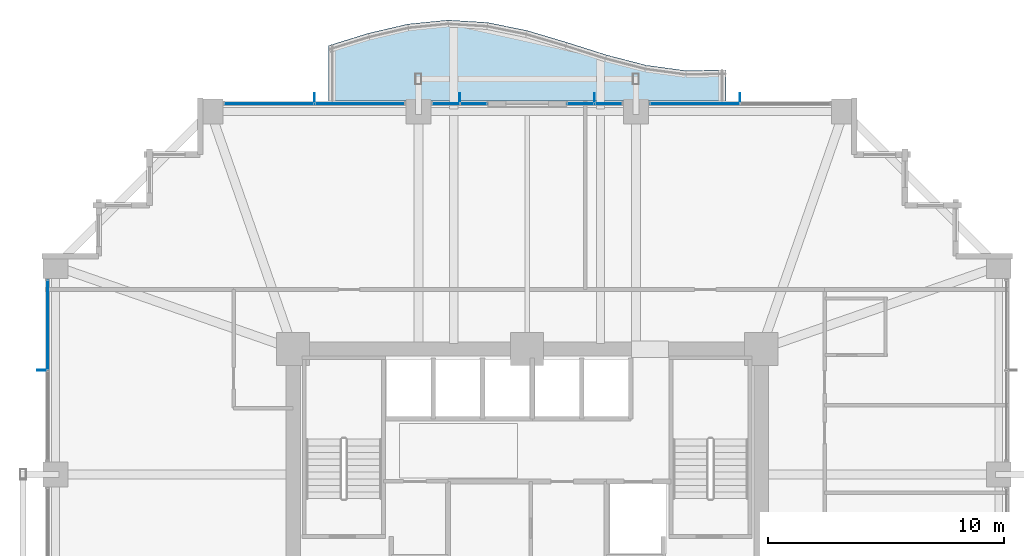
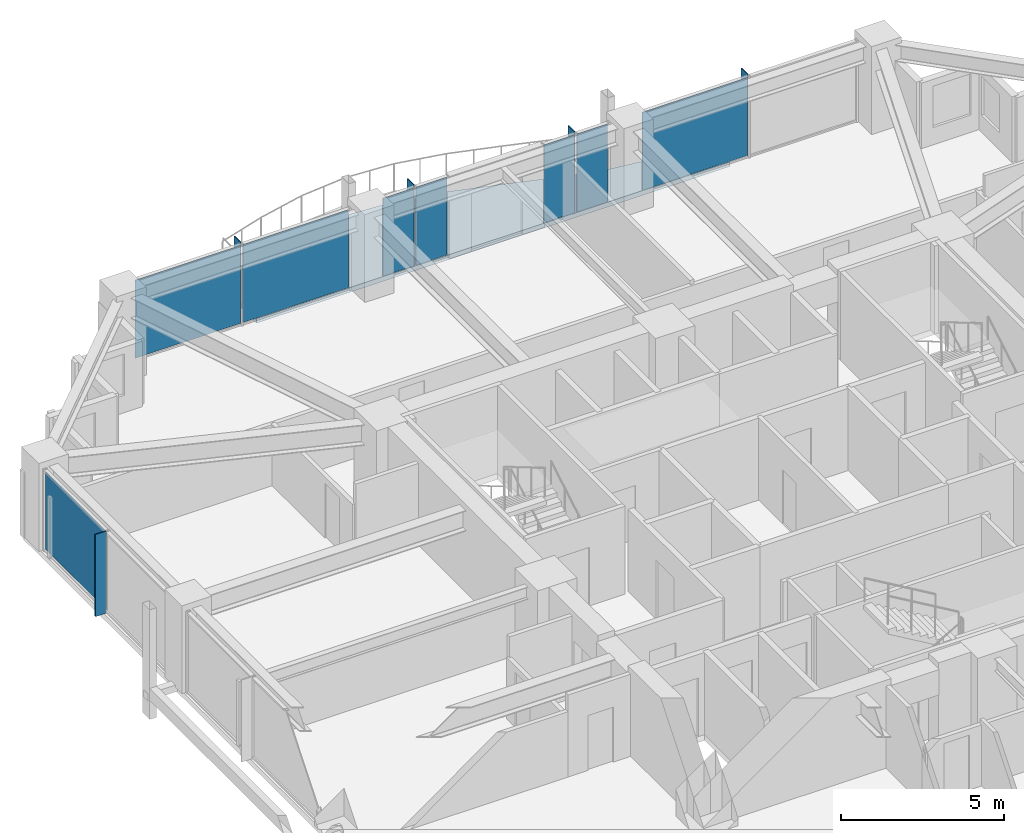
# One storey, part 30 of 38: 13 plates, 1 slab, 5 elements without a shape of their own.
"""IFC4 building model written with IfcOpenShell, lengths in metres."""

from ifc_helpers import new_model, si_unit, direction, frame, origin, origin_2d, place, context, subcontext, project, spatial, polyline, rectangle, outline, extrude, material, layer, layer_set, type_object, element, aggregate, save


model = new_model("IFC4")

# Units and contexts
model_context = context("Model", 3, precision=1e-05, world=origin(), true_north=direction((0.0, 1.0)))
body_context = subcontext(model_context, "Body", "Model", "MODEL_VIEW")
ifc_project = project(units=[si_unit("LENGTHUNIT", "METRE"), si_unit("AREAUNIT", "SQUARE_METRE"), si_unit("VOLUMEUNIT", "CUBIC_METRE"), si_unit("PLANEANGLEUNIT", "RADIAN"), si_unit("MASSUNIT", "GRAM", prefix="KILO")], contexts=[model_context])

# Site, building, storey
site_placement = place(None, origin())
site = spatial("IfcSite", under=ifc_project, at=site_placement, CompositionType="ELEMENT")
building_placement = place(site_placement, origin())
building = spatial("IfcBuilding", under=site, at=building_placement, Name="Kolvaren Belvedere", CompositionType="ELEMENT")
storey_placement = place(building_placement, frame((0.0, 0.0, 72.199951171875)))
storey = spatial("IfcBuildingStorey", under=building, at=storey_placement, Name="L20", CompositionType="ELEMENT", Elevation=72.199951171875)

# Curtain wall, plates
ifc_material_1 = material(Name="Anodised pale-metal aluminium AA 6063-T6", Category="aluminium")
curtain_wall_type = type_object("IfcCurtainWallType", Name="CW-Z2-MID", PredefinedType="NOTDEFINED", material=ifc_material_1)
curtain_wall_1_placement = place(storey_placement, origin())
curtain_wall_1 = element("IfcCurtainWall", 1, at=curtain_wall_1_placement, inside=storey, type_object=curtain_wall_type, Name="L20 Unitised Curtain Wall FCW-L20-N1-B1", PredefinedType="NOTDEFINED")
ifc_material_2 = material(Name="Low-iron triple insulated glass", Category="glass")
ifc_layer_1 = layer(ifc_material_2, 0.028076171875)
ifc_layer_set_1 = layer_set([ifc_layer_1], Name="Low-iron triple insulated glass")
plate_type_1 = type_object("IfcPlateType", Name="CW-PNL-VIS28", PredefinedType="CURTAIN_PANEL", material=ifc_layer_set_1)
plate_1_placement = place(storey_placement, frame((-10.9111328125, 20.280029296875, 0.080078125), z_axis=(0.0, 0.0, 1.0), x_axis=(1.0, 0.0, 0.0)))
plate_1 = element("IfcPlate", 2, at=plate_1_placement, type_object=plate_type_1, Name="FCW-L20-N1-B1 Vision Glazing Panel 1", PredefinedType="CURTAIN_PANEL", context=body_context, shape_type="SweptSolid", body=[
    extrude(rectangle(XDim=3.742431640625, YDim=0.028076171875, at=origin_2d()), origin(), (0.0, 0.0, 1.0), 2.919921875),
])
plate_2_placement = place(storey_placement, frame((-7.0888671875, 20.280029296875, 0.080078125), z_axis=(0.0, 0.0, 1.0), x_axis=(1.0, 0.0, 0.0)))
plate_2 = element("IfcPlate", 3, at=plate_2_placement, type_object=plate_type_1, Name="FCW-L20-N1-B1 Vision Glazing Panel 2", PredefinedType="CURTAIN_PANEL", context=body_context, shape_type="SweptSolid", body=[
    extrude(rectangle(XDim=3.742431640625, YDim=0.028076171875, at=origin_2d()), origin(), (0.0, 0.0, 1.0), 2.919921875),
])
aggregate(curtain_wall_1, [plate_1, plate_2])

curtain_wall_2_placement = place(storey_placement, origin())
curtain_wall_2 = element("IfcCurtainWall", 4, at=curtain_wall_2_placement, inside=storey, type_object=curtain_wall_type, Name="L20 Unitised Curtain Wall FCW-L20-N1-B2", PredefinedType="NOTDEFINED")
plate_3_placement = place(storey_placement, frame((-3.43701171875, 20.280029296875, 0.080078125), z_axis=(0.0, 0.0, 1.0), x_axis=(1.0, 0.0, 0.0)))
plate_3 = element("IfcPlate", 5, at=plate_3_placement, type_object=plate_type_1, Name="FCW-L20-N1-B2 Vision Glazing Panel 1", PredefinedType="CURTAIN_PANEL", context=body_context, shape_type="SweptSolid", body=[
    extrude(rectangle(XDim=1.09130859375, YDim=0.028076171875, at=origin_2d()), origin(), (0.0, 0.0, 1.0), 2.919921875),
])
plate_4_placement = place(storey_placement, frame((-2.265625, 20.280029296875, 0.080078125), z_axis=(0.0, 0.0, 1.0), x_axis=(1.0, 0.0, 0.0)))
plate_4 = element("IfcPlate", 6, at=plate_4_placement, type_object=plate_type_1, Name="FCW-L20-N1-B2 Vision Glazing Panel 2", PredefinedType="CURTAIN_PANEL", context=body_context, shape_type="SweptSolid", body=[
    extrude(rectangle(XDim=1.09130859375, YDim=0.028076171875, at=origin_2d()), origin(), (0.0, 0.0, 1.0), 2.919921875),
])
aggregate(curtain_wall_2, [plate_3, plate_4])

curtain_wall_3_placement = place(storey_placement, origin())
curtain_wall_3 = element("IfcCurtainWall", 7, at=curtain_wall_3_placement, inside=storey, type_object=curtain_wall_type, Name="L20 Unitised Curtain Wall FCW-L20-N2-B1", PredefinedType="NOTDEFINED")
plate_5_placement = place(storey_placement, frame((2.265625, 20.280029296875, 0.080078125), z_axis=(0.0, 0.0, 1.0), x_axis=(1.0, 0.0, 0.0)))
plate_5 = element("IfcPlate", 8, at=plate_5_placement, type_object=plate_type_1, Name="FCW-L20-N2-B1 Vision Glazing Panel 1", PredefinedType="CURTAIN_PANEL", context=body_context, shape_type="SweptSolid", body=[
    extrude(rectangle(XDim=1.09130859375, YDim=0.028076171875, at=origin_2d()), origin(), (0.0, 0.0, 1.0), 2.919921875),
])
plate_6_placement = place(storey_placement, frame((3.43701171875, 20.280029296875, 0.080078125), z_axis=(0.0, 0.0, 1.0), x_axis=(1.0, 0.0, 0.0)))
plate_6 = element("IfcPlate", 9, at=plate_6_placement, type_object=plate_type_1, Name="FCW-L20-N2-B1 Vision Glazing Panel 2", PredefinedType="CURTAIN_PANEL", context=body_context, shape_type="SweptSolid", body=[
    extrude(rectangle(XDim=1.09130859375, YDim=0.028076171875, at=origin_2d()), origin(), (0.0, 0.0, 1.0), 2.919921875),
])
aggregate(curtain_wall_3, [plate_5, plate_6])

# Curtain wall, plate
curtain_wall_4_placement = place(storey_placement, origin())
curtain_wall_4 = element("IfcCurtainWall", 10, at=curtain_wall_4_placement, inside=storey, type_object=curtain_wall_type, Name="L20 Unitised Curtain Wall FCW-L20-N2-B2", PredefinedType="NOTDEFINED")
plate_7_placement = place(storey_placement, frame((7.0888671875, 20.280029296875, 0.080078125), z_axis=(0.0, 0.0, 1.0), x_axis=(1.0, 0.0, 0.0)))
plate_7 = element("IfcPlate", 11, at=plate_7_placement, type_object=plate_type_1, Name="FCW-L20-N2-B2 Vision Glazing Panel 1", PredefinedType="CURTAIN_PANEL", context=body_context, shape_type="SweptSolid", body=[
    extrude(rectangle(XDim=3.742431640625, YDim=0.028076171875, at=origin_2d()), origin(), (0.0, 0.0, 1.0), 2.919921875),
])
aggregate(curtain_wall_4, [plate_7])

curtain_wall_5_placement = place(storey_placement, origin())
curtain_wall_5 = element("IfcCurtainWall", 12, at=curtain_wall_5_placement, inside=storey, type_object=curtain_wall_type, Name="L20 Unitised Curtain Wall FCW-L20-W-B3", PredefinedType="NOTDEFINED")
plate_8_placement = place(storey_placement, frame((-20.280029296875, 10.9111328125, 0.080078125), z_axis=(0.0, 0.0, 1.0), x_axis=(0.0, 1.0, 0.0)))
plate_8 = element("IfcPlate", 13, at=plate_8_placement, type_object=plate_type_1, Name="FCW-L20-W-B3 Vision Glazing Panel 2", PredefinedType="CURTAIN_PANEL", context=body_context, shape_type="SweptSolid", body=[
    extrude(rectangle(XDim=3.742431640625, YDim=0.028076171875, at=origin_2d()), origin(), (0.0, 0.0, 1.0), 2.919921875),
])
aggregate(curtain_wall_5, [plate_8])

# Plates
ifc_material_3 = material(Name="Anodised pale-metal aluminium AA 6063-T6", Category="aluminium")
ifc_layer_2 = layer(ifc_material_3, 0.033935546875)
ifc_layer_set_2 = layer_set([ifc_layer_2], Name="Anodised pale-metal aluminium AA 6063-T6")
plate_type_2 = type_object("IfcPlateType", Name="FIN-VERT-380", PredefinedType="USERDEFINED", material=ifc_layer_set_2)
for number, where, z_axis, x_axis, name in (
    (14, (-9.0, 20.52490234375, 0.0), (0.0, 0.0, 1.0), (0.0, 1.0, 0.0), "L20 Pale-Metal Vertical Shading Fin FCW-L20-N1-B1-1"),
    (15, (-2.851318359375, 20.52490234375, 0.0), (0.0, 0.0, 1.0), (0.0, 1.0, 0.0), "L20 Pale-Metal Vertical Shading Fin FCW-L20-N1-B2-1"),
    (16, (2.851318359375, 20.52490234375, 0.0), (0.0, 0.0, 1.0), (0.0, 1.0, 0.0), "L20 Pale-Metal Vertical Shading Fin FCW-L20-N2-B1-1"),
    (17, (9.0, 20.52490234375, 0.0), (0.0, 0.0, 1.0), (0.0, 1.0, 0.0), "L20 Pale-Metal Vertical Shading Fin FCW-L20-N2-B2-1"),
    (18, (-20.52490234375, 9.0, 0.0), (0.0, 0.0, 1.0), (1.0, 0.0, 0.0), "L20 Pale-Metal Vertical Shading Fin FCW-L20-W-B3-1"),
):
    element("IfcPlate", number, at=place(storey_placement, frame(where, z_axis=z_axis, x_axis=x_axis)), inside=storey, type_object=plate_type_2, Name=name, ObjectType="VERTICAL FIN", PredefinedType="USERDEFINED", context=body_context, shape_type="SweptSolid", body=[
        extrude(rectangle(XDim=0.3798828125, YDim=0.033935546875, at=origin_2d()), origin(), (0.0, 0.0, 1.0), 3.080078125),
    ])

# Slab
ifc_material_4 = material(Name="Concrete C50/60", Category="concrete")
ifc_layer_3 = layer(ifc_material_4, 0.179931640625)
ifc_layer_set_3 = layer_set([ifc_layer_3], Name="Concrete C50/60")
slab_type = type_object("IfcSlabType", Name="SL-BAL-180", PredefinedType="FLOOR", material=ifc_layer_set_3)
slab_placement = place(storey_placement, frame((0.0, 0.0, -0.219970703125)))
element("IfcSlab", 19, at=slab_placement, inside=storey, type_object=slab_type, Name="L20 Planted Balcony BAL-N", PredefinedType="FLOOR", context=body_context, shape_type="SweptSolid", body=[
    extrude(outline(polyline([(-8.39990234375, 20.39990234375), (-6.719970703125, 20.39990234375), (-5.0400390625, 20.39990234375), (-3.360107421875, 20.39990234375), (-1.679931640625, 20.39990234375), (0.0, 20.39990234375), (1.679931640625, 20.39990234375), (3.360107421875, 20.39990234375), (5.0400390625, 20.39990234375), (6.719970703125, 20.39990234375), (8.39990234375, 20.39990234375), (8.39990234375, 21.712890625), (6.719970703125, 21.67919921875), (5.0400390625, 21.90771484375), (3.360107421875, 22.34228515625), (1.679931640625, 22.87548828125), (0.0, 23.374755859375), (-1.679931640625, 23.71728515625), (-3.360107421875, 23.820068359375), (-5.0400390625, 23.65185546875), (-6.719970703125, 23.26025390625), (-8.39990234375, 22.739990234375), (-8.39990234375, 20.39990234375)])), origin(), (0.0, 0.0, 1.0), 0.179931640625),
])

save(model, "model.ifc")
